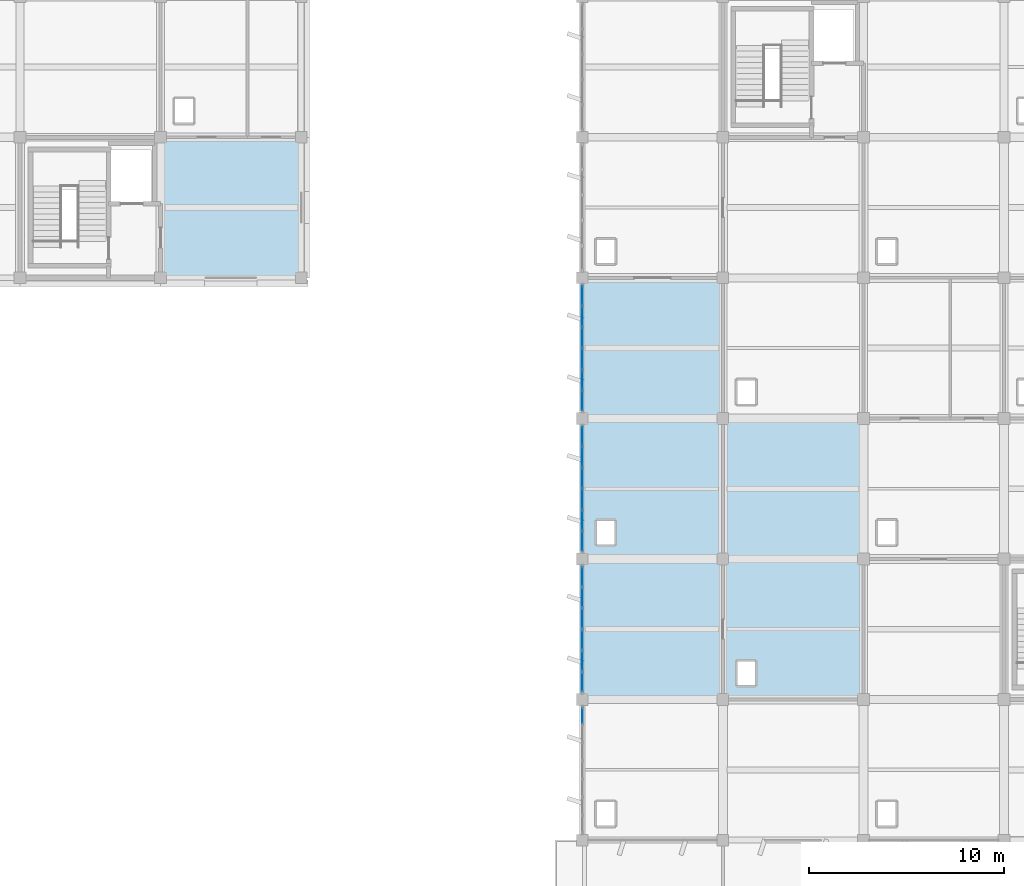
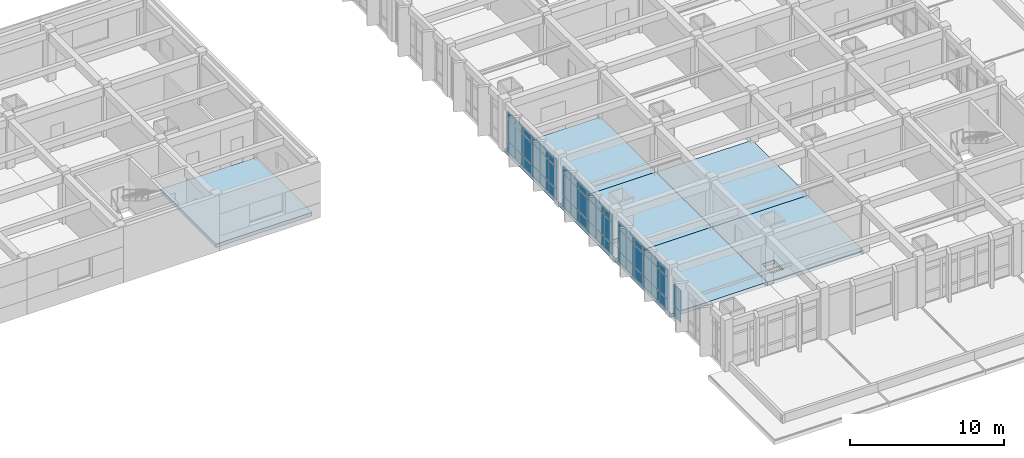
# One storey, part 39 of 62: 56 plates, 6 slabs, 4 elements without a shape of their own.
"""IFC4 building model written with IfcOpenShell, lengths in metres."""

import ifcopenshell
import ifcopenshell.guid

model = None  # the IFC model being written
_history = None  # IfcOwnerHistory: only IFC2X3 demands one
_inside = {}  # id of a spatial element -> (the spatial element, [elements in it])
_under = {}  # id of a project, library or spatial element -> (it, [spatial elements below it])
_declared = {}  # id of a project -> (the project, [libraries it declares])
_typed = {}  # id of a type object -> (the type object, [elements of that type])
_made_of = {}  # id of a material, layer set ... -> (it, [elements and type objects made of it])


def new_model(schema):
    """Start an empty IFC model of exactly this schema.

    Asked for "IFC4X3", IfcOpenShell would pick the latest addendum, in which some entities
    have other attributes; the version numbers below select the first issue.
    IFC2X3 requires an IfcOwnerHistory on every rooted entity: one is made here for all.
    """
    global model, _history
    if schema == "IFC4X3":
        model = ifcopenshell.file(schema_version=(4, 3, 0, 0))
    else:
        model = ifcopenshell.file(schema=schema)
    _inside.clear()
    _under.clear()
    _declared.clear()
    _typed.clear()
    _made_of.clear()
    _history = None
    if model.schema == "IFC2X3":
        org = make("IfcOrganization", Name="unknown")
        user = make(
            "IfcPersonAndOrganization",
            ThePerson=make("IfcPerson", FamilyName="unknown"),
            TheOrganization=org,
        )
        app = make(
            "IfcApplication",
            ApplicationDeveloper=org,
            Version="unknown",
            ApplicationFullName="unknown",
            ApplicationIdentifier="unknown",
        )
        _history = make(
            "IfcOwnerHistory",
            OwningUser=user,
            OwningApplication=app,
            ChangeAction="ADDED",
            CreationDate=0,
        )
    return model


def make(cls, **values):
    """One entity of the class cls with the attributes given. An attribute that is None is left unset."""
    return model.create_entity(
        cls, **{name: value for name, value in values.items() if value is not None}
    )


def rooted(cls, **values):
    """An entity with a GlobalId (a new one), such as an element, a storey or a relation."""
    return make(cls, GlobalId=ifcopenshell.guid.new(), OwnerHistory=_history, **values)


def si_unit(unit_type, name, prefix=None):
    """IfcSIUnit, for example si_unit("LENGTHUNIT", "METRE", prefix="MILLI")."""
    return make("IfcSIUnit", UnitType=unit_type, Prefix=prefix, Name=name)


def assignment(units):
    """IfcUnitAssignment: the units of a project."""
    return None if units is None else make("IfcUnitAssignment", Units=units)


def point(xyz):
    """IfcCartesianPoint."""
    return None if xyz is None else make("IfcCartesianPoint", Coordinates=xyz)


def direction(xyz):
    """IfcDirection."""
    return None if xyz is None else make("IfcDirection", DirectionRatios=xyz)


def frame(location, z_axis=None, x_axis=None):
    """IfcAxis2Placement3D, a coordinate frame: its origin and axes. An axis left out is left unset."""
    return make(
        "IfcAxis2Placement3D",
        Location=point(location),
        Axis=direction(z_axis),
        RefDirection=direction(x_axis),
    )


def frame_2d(location, x_axis=None):
    """IfcAxis2Placement2D, a coordinate frame in the plane: its origin and x axis."""
    return make(
        "IfcAxis2Placement2D", Location=point(location), RefDirection=direction(x_axis)
    )


def origin():
    """The frame at (0, 0, 0) with its axes left unset."""
    return frame((0.0, 0.0, 0.0))


def origin_2d():
    """The frame at (0, 0) in the plane with its x axis left unset."""
    return frame_2d((0.0, 0.0))


def place(relative_to, where):
    """IfcLocalPlacement: puts the frame where relative to a parent placement (None: the world)."""
    return make(
        "IfcLocalPlacement", PlacementRelTo=relative_to, RelativePlacement=where
    )


def context(
    kind, dimensions, precision=None, world=None, true_north=None, identifier=None
):
    """IfcGeometricRepresentationContext, for example the 3D "Model" context."""
    return make(
        "IfcGeometricRepresentationContext",
        ContextIdentifier=identifier,
        ContextType=kind,
        CoordinateSpaceDimension=dimensions,
        Precision=precision,
        WorldCoordinateSystem=world,
        TrueNorth=true_north,
    )


def subcontext(parent, identifier, kind, view, scale=None):
    """IfcGeometricRepresentationSubContext, for example "Body" below "Model"."""
    return make(
        "IfcGeometricRepresentationSubContext",
        ContextIdentifier=identifier,
        ContextType=kind,
        ParentContext=parent,
        TargetScale=scale,
        TargetView=view,
    )


def project(units=None, contexts=None):
    """IfcProject with its units and contexts."""
    return rooted(
        "IfcProject",
        Name="project",
        RepresentationContexts=contexts,
        UnitsInContext=assignment(units),
    )


def spatial(cls, under=None, at=None, **own):
    """A site, building, storey or space (cls), placed at a placement, below another one or the project."""
    s = rooted(cls, ObjectPlacement=at, **own)
    if under is not None:
        _under.setdefault(under.id(), (under, []))[1].append(s)
    return s


def polyline(points):
    """IfcPolyline through the points."""
    return make("IfcPolyline", Points=[point(p) for p in points])


def profile(cls, at=None, kind="AREA", **sizes):
    """A parametric profile (cls). Its sizes go by their IFC names, for example OverallWidth=200.0."""
    return make(cls, ProfileType=kind, Position=at, **sizes)


def rectangle(**sizes):
    """IfcRectangleProfileDef."""
    return profile("IfcRectangleProfileDef", **sizes)


def outline(outer, holes=None, kind="AREA"):
    """IfcArbitraryClosedProfileDef: a profile drawn as a closed curve; with holes, ...WithVoids."""
    if holes is None:
        return make("IfcArbitraryClosedProfileDef", ProfileType=kind, OuterCurve=outer)
    return make(
        "IfcArbitraryProfileDefWithVoids",
        ProfileType=kind,
        OuterCurve=outer,
        InnerCurves=holes,
    )


def extrude(swept, where, along, depth):
    """IfcExtrudedAreaSolid: the profile swept, set in the frame where, extruded along a direction by depth."""
    return make(
        "IfcExtrudedAreaSolid",
        SweptArea=swept,
        Position=where,
        ExtrudedDirection=direction(along),
        Depth=depth,
    )


def shape(context_of_items, identifier, shape_type, items):
    """IfcShapeRepresentation: the items that make up one representation, for example the "Body"."""
    return make(
        "IfcShapeRepresentation",
        ContextOfItems=context_of_items,
        RepresentationIdentifier=identifier,
        RepresentationType=shape_type,
        Items=items,
    )


def material(Name=None, Category=None):
    """IfcMaterial."""
    return make("IfcMaterial", Name=Name, Category=Category)


def layer(
    of_material, thickness, ventilated=None, Name=None, Category=None, Priority=None
):
    """IfcMaterialLayer: one layer of a wall or slab, of a material (None: an air gap)."""
    return make(
        "IfcMaterialLayer",
        Material=of_material,
        LayerThickness=thickness,
        IsVentilated=ventilated,
        Name=Name,
        Category=Category,
        Priority=Priority,
    )


def layer_set(layers, Name=None):
    """IfcMaterialLayerSet."""
    return make("IfcMaterialLayerSet", MaterialLayers=layers, LayerSetName=Name)


def made_of(thing, what):
    """Note that an element or type object is made of a material, layer set ...; save() writes the relation."""
    if what is not None:
        _made_of.setdefault(what.id(), (what, []))[1].append(thing)
    return thing


def type_object(cls, material=None, **own):
    """A type object (cls), such as IfcWallType, which elements share."""
    return made_of(rooted(cls, **own), material)


def element(
    cls,
    number,
    at=None,
    inside=None,
    cuts=None,
    type_object=None,
    material=None,
    context=None,
    identifier="Body",
    shape_type=None,
    held_by="IfcProductDefinitionShape",
    body=None,
    shapes=None,
    **own,
):
    """One element of the class cls, such as IfcWall. Its Tag is "e" and its number.

    at: its placement. inside: the storey or other place that contains it. cuts: it is an
    opening in that element (IfcRelVoidsElement). A single representation is given by context,
    identifier, shape_type and body (its items); several are given by shapes. held_by: the class
    of the entity that holds the representations. save() writes the other relations.
    """
    e = rooted(cls, Tag="e%d" % number, ObjectPlacement=at, **own)
    if body is not None:
        shapes = [shape(context, identifier, shape_type, body)]
    if shapes is not None:
        e.Representation = make(held_by, Representations=shapes)
    if inside is not None:
        _inside.setdefault(inside.id(), (inside, []))[1].append(e)
    if cuts is not None:
        rooted(
            "IfcRelVoidsElement", RelatingBuildingElement=cuts, RelatedOpeningElement=e
        )
    if type_object is not None:
        _typed.setdefault(type_object.id(), (type_object, []))[1].append(e)
    return made_of(e, material)


def aggregate(whole, parts):
    """IfcRelAggregates: a whole, such as a stair, and the parts it consists of."""
    return rooted("IfcRelAggregates", RelatingObject=whole, RelatedObjects=parts)


def save(model, path):
    """Write the relations noted so far, then the file.

    IfcRelAggregates (storeys below a building ...), IfcRelContainedInSpatialStructure (elements
    in a storey), IfcRelDefinesByType, IfcRelAssociatesMaterial and IfcRelDeclares: one each for
    every whole, place, type object, material and project.
    """
    for whole, parts in _under.values():
        aggregate(whole, parts)
    for where, things in _inside.values():
        rooted(
            "IfcRelContainedInSpatialStructure",
            RelatedElements=things,
            RelatingStructure=where,
        )
    for kind, things in _typed.values():
        rooted("IfcRelDefinesByType", RelatedObjects=things, RelatingType=kind)
    for what, things in _made_of.values():
        rooted("IfcRelAssociatesMaterial", RelatedObjects=things, RelatingMaterial=what)
    for by, libraries in _declared.values():
        rooted("IfcRelDeclares", RelatingContext=by, RelatedDefinitions=libraries)
    model.write(path)


model = new_model("IFC4")

# Units and contexts
model_context = context("Model", 3, precision=1e-05, world=origin(), true_north=direction((0.0, 1.0)))
body_context = subcontext(model_context, "Body", "Model", "MODEL_VIEW")
ifc_project = project(units=[si_unit("LENGTHUNIT", "METRE"), si_unit("AREAUNIT", "SQUARE_METRE"), si_unit("VOLUMEUNIT", "CUBIC_METRE"), si_unit("PLANEANGLEUNIT", "RADIAN"), si_unit("MASSUNIT", "GRAM", prefix="KILO")], contexts=[model_context])

# Site, building, storey
site_placement = place(None, origin())
site = spatial("IfcSite", under=ifc_project, at=site_placement, CompositionType="ELEMENT")
building_placement = place(site_placement, origin())
building = spatial("IfcBuilding", under=site, at=building_placement, Name="Kavelor Marine Aquarium", CompositionType="ELEMENT")
storey_placement = place(building_placement, frame((0.0, 0.0, 13.5)))
storey = spatial("IfcBuildingStorey", under=building, at=storey_placement, Name="L03", CompositionType="ELEMENT", Elevation=13.5)

# Curtain wall, plates
ifc_material_1 = material(Name="Thermally Broken Aluminium and Low-E Glass", Category="aluminium")
ifc_layer_1 = layer(ifc_material_1, 0.156005859375)
ifc_layer_set_1 = layer_set([ifc_layer_1], Name="CW-SYS2")
curtain_wall_type_1 = type_object("IfcCurtainWallType", Name="CW-SYS2", PredefinedType="USERDEFINED", material=ifc_layer_set_1)
curtain_wall_1_placement = place(storey_placement, origin())
curtain_wall_1 = element("IfcCurtainWall", 1, at=curtain_wall_1_placement, inside=storey, type_object=curtain_wall_type_1, Name="cw:y:L03:16_08", ObjectType="Curtain Wall", PredefinedType="USERDEFINED")
ifc_material_2 = material(Name="Solar-Control Double Low-E Glazing", Category="glass")
ifc_layer_2 = layer(ifc_material_2, 0.028076171875)
ifc_layer_set_2 = layer_set([ifc_layer_2], Name="CWP-02")
plate_type_1 = type_object("IfcPlateType", Name="CWP-02", PredefinedType="CURTAIN_PANEL", material=ifc_layer_set_2)
plate_1_placement = place(storey_placement, frame((118.39990234375, 66.773681640625, 0.06494140625), z_axis=(0.0, 0.0, 1.0), x_axis=(0.0, -1.0, 0.0)))
plate_1 = element("IfcPlate", 2, at=plate_1_placement, type_object=plate_type_1, Name="CW02 panel 1.1", PredefinedType="CURTAIN_PANEL", context=body_context, shape_type="SweptSolid", body=[
    extrude(rectangle(XDim=0.83251953125, YDim=0.028076171875, at=origin_2d()), origin(), (0.0, 0.0, 1.0), 0.802490234375),
])
plate_2_placement = place(storey_placement, frame((118.39990234375, 66.773681640625, 0.932373046875), z_axis=(0.0, 0.0, 1.0), x_axis=(0.0, -1.0, 0.0)))
plate_2 = element("IfcPlate", 3, at=plate_2_placement, type_object=plate_type_1, Name="CW02 panel 1.2", PredefinedType="CURTAIN_PANEL", context=body_context, shape_type="SweptSolid", body=[
    extrude(rectangle(XDim=0.83251953125, YDim=0.028076171875, at=origin_2d()), origin(), (0.0, 0.0, 1.0), 1.68505859375),
])
aggregate(curtain_wall_1, [plate_1, plate_2])

ifc_material_3 = material(Name="Thermally Broken Aluminium and Low-E Glass", Category="aluminium")
ifc_layer_3 = layer(ifc_material_3, 0.1640625)
ifc_layer_set_3 = layer_set([ifc_layer_3], Name="CW-SYS3")
curtain_wall_type_2 = type_object("IfcCurtainWallType", Name="CW-SYS3", PredefinedType="USERDEFINED", material=ifc_layer_set_3)
curtain_wall_2_placement = place(storey_placement, origin())
curtain_wall_2 = element("IfcCurtainWall", 4, at=curtain_wall_2_placement, inside=storey, type_object=curtain_wall_type_2, Name="cw:y:L03:16_09", ObjectType="Curtain Wall", PredefinedType="USERDEFINED")
ifc_material_4 = material(Name="Solar-Control Double Low-E Glazing", Category="glass")
ifc_layer_4 = layer(ifc_material_4, 0.030029296875)
ifc_layer_set_4 = layer_set([ifc_layer_4], Name="CWP-03")
plate_type_2 = type_object("IfcPlateType", Name="CWP-03", PredefinedType="CURTAIN_PANEL", material=ifc_layer_set_4)
plate_3_placement = place(storey_placement, frame((118.39990234375, 73.8974609375, 0.06494140625), z_axis=(0.0, 0.0, 1.0), x_axis=(0.0, -1.0, 0.0)))
plate_3 = element("IfcPlate", 5, at=plate_3_placement, type_object=plate_type_2, Name="CW03 panel 1.1", PredefinedType="CURTAIN_PANEL", context=body_context, shape_type="SweptSolid", body=[
    extrude(rectangle(XDim=0.9951171875, YDim=0.030029296875, at=origin_2d()), origin(), (0.0, 0.0, 1.0), 0.802490234375),
])
plate_4_placement = place(storey_placement, frame((118.39990234375, 73.8974609375, 0.932373046875), z_axis=(0.0, 0.0, 1.0), x_axis=(0.0, -1.0, 0.0)))
plate_4 = element("IfcPlate", 6, at=plate_4_placement, type_object=plate_type_2, Name="CW03 panel 1.2", PredefinedType="CURTAIN_PANEL", context=body_context, shape_type="SweptSolid", body=[
    extrude(rectangle(XDim=0.9951171875, YDim=0.030029296875, at=origin_2d()), origin(), (0.0, 0.0, 1.0), 1.68505859375),
])
plate_5_placement = place(storey_placement, frame((118.39990234375, 73.8974609375, 2.6826171875), z_axis=(0.0, 0.0, 1.0), x_axis=(0.0, -1.0, 0.0)))
plate_5 = element("IfcPlate", 7, at=plate_5_placement, type_object=plate_type_2, Name="CW03 panel 1.3", PredefinedType="CURTAIN_PANEL", context=body_context, shape_type="SweptSolid", body=[
    extrude(rectangle(XDim=0.9951171875, YDim=0.030029296875, at=origin_2d()), origin(), (0.0, 0.0, 1.0), 0.552490234375),
])
plate_6_placement = place(storey_placement, frame((118.39990234375, 72.827392578125, 0.06494140625), z_axis=(0.0, 0.0, 1.0), x_axis=(0.0, -1.0, 0.0)))
plate_6 = element("IfcPlate", 8, at=plate_6_placement, type_object=plate_type_2, Name="CW03 panel 2.1", PredefinedType="CURTAIN_PANEL", context=body_context, shape_type="SweptSolid", body=[
    extrude(rectangle(XDim=1.02490234375, YDim=0.030029296875, at=origin_2d()), origin(), (0.0, 0.0, 1.0), 0.802490234375),
])
plate_7_placement = place(storey_placement, frame((118.39990234375, 72.827392578125, 0.932373046875), z_axis=(0.0, 0.0, 1.0), x_axis=(0.0, -1.0, 0.0)))
plate_7 = element("IfcPlate", 9, at=plate_7_placement, type_object=plate_type_2, Name="CW03 panel 2.2", PredefinedType="CURTAIN_PANEL", context=body_context, shape_type="SweptSolid", body=[
    extrude(rectangle(XDim=1.02490234375, YDim=0.030029296875, at=origin_2d()), origin(), (0.0, 0.0, 1.0), 1.68505859375),
])
plate_8_placement = place(storey_placement, frame((118.39990234375, 72.827392578125, 2.6826171875), z_axis=(0.0, 0.0, 1.0), x_axis=(0.0, -1.0, 0.0)))
plate_8 = element("IfcPlate", 10, at=plate_8_placement, type_object=plate_type_2, Name="CW03 panel 2.3", PredefinedType="CURTAIN_PANEL", context=body_context, shape_type="SweptSolid", body=[
    extrude(rectangle(XDim=1.02490234375, YDim=0.030029296875, at=origin_2d()), origin(), (0.0, 0.0, 1.0), 0.552490234375),
])
plate_9_placement = place(storey_placement, frame((118.39990234375, 71.742431640625, 0.06494140625), z_axis=(0.0, 0.0, 1.0), x_axis=(0.0, -1.0, 0.0)))
plate_9 = element("IfcPlate", 11, at=plate_9_placement, type_object=plate_type_2, Name="CW03 panel 3.1", PredefinedType="CURTAIN_PANEL", context=body_context, shape_type="SweptSolid", body=[
    extrude(rectangle(XDim=1.02490234375, YDim=0.030029296875, at=origin_2d()), origin(), (0.0, 0.0, 1.0), 0.802490234375),
])
plate_10_placement = place(storey_placement, frame((118.39990234375, 71.742431640625, 0.932373046875), z_axis=(0.0, 0.0, 1.0), x_axis=(0.0, -1.0, 0.0)))
plate_10 = element("IfcPlate", 12, at=plate_10_placement, type_object=plate_type_2, Name="CW03 panel 3.2", PredefinedType="CURTAIN_PANEL", context=body_context, shape_type="SweptSolid", body=[
    extrude(rectangle(XDim=1.02490234375, YDim=0.030029296875, at=origin_2d()), origin(), (0.0, 0.0, 1.0), 1.68505859375),
])
plate_11_placement = place(storey_placement, frame((118.39990234375, 71.742431640625, 2.6826171875), z_axis=(0.0, 0.0, 1.0), x_axis=(0.0, -1.0, 0.0)))
plate_11 = element("IfcPlate", 13, at=plate_11_placement, type_object=plate_type_2, Name="CW03 panel 3.3", PredefinedType="CURTAIN_PANEL", context=body_context, shape_type="SweptSolid", body=[
    extrude(rectangle(XDim=1.02490234375, YDim=0.030029296875, at=origin_2d()), origin(), (0.0, 0.0, 1.0), 0.552490234375),
])
plate_12_placement = place(storey_placement, frame((118.39990234375, 70.657470703125, 0.06494140625), z_axis=(0.0, 0.0, 1.0), x_axis=(0.0, -1.0, 0.0)))
plate_12 = element("IfcPlate", 14, at=plate_12_placement, type_object=plate_type_2, Name="CW03 panel 4.1", PredefinedType="CURTAIN_PANEL", context=body_context, shape_type="SweptSolid", body=[
    extrude(rectangle(XDim=1.02490234375, YDim=0.030029296875, at=origin_2d()), origin(), (0.0, 0.0, 1.0), 0.802490234375),
])
plate_13_placement = place(storey_placement, frame((118.39990234375, 70.657470703125, 0.932373046875), z_axis=(0.0, 0.0, 1.0), x_axis=(0.0, -1.0, 0.0)))
plate_13 = element("IfcPlate", 15, at=plate_13_placement, type_object=plate_type_2, Name="CW03 panel 4.2", PredefinedType="CURTAIN_PANEL", context=body_context, shape_type="SweptSolid", body=[
    extrude(rectangle(XDim=1.02490234375, YDim=0.030029296875, at=origin_2d()), origin(), (0.0, 0.0, 1.0), 1.68505859375),
])
plate_14_placement = place(storey_placement, frame((118.39990234375, 70.657470703125, 2.6826171875), z_axis=(0.0, 0.0, 1.0), x_axis=(0.0, -1.0, 0.0)))
plate_14 = element("IfcPlate", 16, at=plate_14_placement, type_object=plate_type_2, Name="CW03 panel 4.3", PredefinedType="CURTAIN_PANEL", context=body_context, shape_type="SweptSolid", body=[
    extrude(rectangle(XDim=1.02490234375, YDim=0.030029296875, at=origin_2d()), origin(), (0.0, 0.0, 1.0), 0.552490234375),
])
plate_15_placement = place(storey_placement, frame((118.39990234375, 69.572509765625, 0.06494140625), z_axis=(0.0, 0.0, 1.0), x_axis=(0.0, -1.0, 0.0)))
plate_15 = element("IfcPlate", 17, at=plate_15_placement, type_object=plate_type_2, Name="CW03 panel 5.1", PredefinedType="CURTAIN_PANEL", context=body_context, shape_type="SweptSolid", body=[
    extrude(rectangle(XDim=1.02490234375, YDim=0.030029296875, at=origin_2d()), origin(), (0.0, 0.0, 1.0), 0.802490234375),
])
plate_16_placement = place(storey_placement, frame((118.39990234375, 69.572509765625, 0.932373046875), z_axis=(0.0, 0.0, 1.0), x_axis=(0.0, -1.0, 0.0)))
plate_16 = element("IfcPlate", 18, at=plate_16_placement, type_object=plate_type_2, Name="CW03 panel 5.2", PredefinedType="CURTAIN_PANEL", context=body_context, shape_type="SweptSolid", body=[
    extrude(rectangle(XDim=1.02490234375, YDim=0.030029296875, at=origin_2d()), origin(), (0.0, 0.0, 1.0), 1.68505859375),
])
plate_17_placement = place(storey_placement, frame((118.39990234375, 69.572509765625, 2.6826171875), z_axis=(0.0, 0.0, 1.0), x_axis=(0.0, -1.0, 0.0)))
plate_17 = element("IfcPlate", 19, at=plate_17_placement, type_object=plate_type_2, Name="CW03 panel 5.3", PredefinedType="CURTAIN_PANEL", context=body_context, shape_type="SweptSolid", body=[
    extrude(rectangle(XDim=1.02490234375, YDim=0.030029296875, at=origin_2d()), origin(), (0.0, 0.0, 1.0), 0.552490234375),
])
plate_18_placement = place(storey_placement, frame((118.39990234375, 68.50244140625, 0.06494140625), z_axis=(0.0, 0.0, 1.0), x_axis=(0.0, -1.0, 0.0)))
plate_18 = element("IfcPlate", 20, at=plate_18_placement, type_object=plate_type_2, Name="CW03 panel 6.1", PredefinedType="CURTAIN_PANEL", context=body_context, shape_type="SweptSolid", body=[
    extrude(rectangle(XDim=0.9951171875, YDim=0.030029296875, at=origin_2d()), origin(), (0.0, 0.0, 1.0), 0.802490234375),
])
plate_19_placement = place(storey_placement, frame((118.39990234375, 68.50244140625, 0.932373046875), z_axis=(0.0, 0.0, 1.0), x_axis=(0.0, -1.0, 0.0)))
plate_19 = element("IfcPlate", 21, at=plate_19_placement, type_object=plate_type_2, Name="CW03 panel 6.2", PredefinedType="CURTAIN_PANEL", context=body_context, shape_type="SweptSolid", body=[
    extrude(rectangle(XDim=0.9951171875, YDim=0.030029296875, at=origin_2d()), origin(), (0.0, 0.0, 1.0), 1.68505859375),
])
plate_20_placement = place(storey_placement, frame((118.39990234375, 68.50244140625, 2.6826171875), z_axis=(0.0, 0.0, 1.0), x_axis=(0.0, -1.0, 0.0)))
plate_20 = element("IfcPlate", 22, at=plate_20_placement, type_object=plate_type_2, Name="CW03 panel 6.3", PredefinedType="CURTAIN_PANEL", context=body_context, shape_type="SweptSolid", body=[
    extrude(rectangle(XDim=0.9951171875, YDim=0.030029296875, at=origin_2d()), origin(), (0.0, 0.0, 1.0), 0.552490234375),
])
aggregate(curtain_wall_2, [plate_3, plate_4, plate_5, plate_6, plate_7, plate_8, plate_9, plate_10, plate_11, plate_12, plate_13, plate_14, plate_15, plate_16, plate_17, plate_18, plate_19, plate_20])

ifc_material_5 = material(Name="Thermally Broken Aluminium and Low-E Glass", Category="aluminium")
ifc_layer_5 = layer(ifc_material_5, 0.172119140625)
ifc_layer_set_5 = layer_set([ifc_layer_5], Name="CW-SYS4")
curtain_wall_type_3 = type_object("IfcCurtainWallType", Name="CW-SYS4", PredefinedType="USERDEFINED", material=ifc_layer_set_5)
curtain_wall_3_placement = place(storey_placement, origin())
curtain_wall_3 = element("IfcCurtainWall", 23, at=curtain_wall_3_placement, inside=storey, type_object=curtain_wall_type_3, Name="cw:y:L03:16_10", ObjectType="Curtain Wall", PredefinedType="USERDEFINED")
ifc_material_6 = material(Name="Solar-Control Double Low-E Glazing", Category="glass")
ifc_layer_6 = layer(ifc_material_6, 0.031982421875)
ifc_layer_set_6 = layer_set([ifc_layer_6], Name="CWP-04")
plate_type_3 = type_object("IfcPlateType", Name="CWP-04", PredefinedType="CURTAIN_PANEL", material=ifc_layer_set_6)
plate_21_placement = place(storey_placement, frame((118.39990234375, 81.09375, 0.06005859375), z_axis=(0.0, 0.0, 1.0), x_axis=(0.0, -1.0, 0.0)))
plate_21 = element("IfcPlate", 24, at=plate_21_placement, type_object=plate_type_3, Name="CW04 panel 1.1", PredefinedType="CURTAIN_PANEL", context=body_context, shape_type="SweptSolid", body=[
    extrude(rectangle(XDim=0.972412109375, YDim=0.031982421875, at=origin_2d()), origin(), (0.0, 0.0, 1.0), 0.81005859375),
])
plate_22_placement = place(storey_placement, frame((118.39990234375, 81.09375, 0.929931640625), z_axis=(0.0, 0.0, 1.0), x_axis=(0.0, -1.0, 0.0)))
plate_22 = element("IfcPlate", 25, at=plate_22_placement, type_object=plate_type_3, Name="CW04 panel 1.2", PredefinedType="CURTAIN_PANEL", context=body_context, shape_type="SweptSolid", body=[
    extrude(rectangle(XDim=0.972412109375, YDim=0.031982421875, at=origin_2d()), origin(), (0.0, 0.0, 1.0), 1.68994140625),
])
plate_23_placement = place(storey_placement, frame((118.39990234375, 81.09375, 2.679931640625), z_axis=(0.0, 0.0, 1.0), x_axis=(0.0, -1.0, 0.0)))
plate_23 = element("IfcPlate", 26, at=plate_23_placement, type_object=plate_type_3, Name="CW04 panel 1.3", PredefinedType="CURTAIN_PANEL", context=body_context, shape_type="SweptSolid", body=[
    extrude(rectangle(XDim=0.972412109375, YDim=0.031982421875, at=origin_2d()), origin(), (0.0, 0.0, 1.0), 0.56005859375),
])
plate_24_placement = place(storey_placement, frame((118.39990234375, 80.027587890625, 0.06005859375), z_axis=(0.0, 0.0, 1.0), x_axis=(0.0, -1.0, 0.0)))
plate_24 = element("IfcPlate", 27, at=plate_24_placement, type_object=plate_type_3, Name="CW04 panel 2.1", PredefinedType="CURTAIN_PANEL", context=body_context, shape_type="SweptSolid", body=[
    extrude(rectangle(XDim=1.010009765625, YDim=0.031982421875, at=origin_2d()), origin(), (0.0, 0.0, 1.0), 0.81005859375),
])
plate_25_placement = place(storey_placement, frame((118.39990234375, 80.027587890625, 0.929931640625), z_axis=(0.0, 0.0, 1.0), x_axis=(0.0, -1.0, 0.0)))
plate_25 = element("IfcPlate", 28, at=plate_25_placement, type_object=plate_type_3, Name="CW04 panel 2.2", PredefinedType="CURTAIN_PANEL", context=body_context, shape_type="SweptSolid", body=[
    extrude(rectangle(XDim=1.010009765625, YDim=0.031982421875, at=origin_2d()), origin(), (0.0, 0.0, 1.0), 1.68994140625),
])
plate_26_placement = place(storey_placement, frame((118.39990234375, 80.027587890625, 2.679931640625), z_axis=(0.0, 0.0, 1.0), x_axis=(0.0, -1.0, 0.0)))
plate_26 = element("IfcPlate", 29, at=plate_26_placement, type_object=plate_type_3, Name="CW04 panel 2.3", PredefinedType="CURTAIN_PANEL", context=body_context, shape_type="SweptSolid", body=[
    extrude(rectangle(XDim=1.010009765625, YDim=0.031982421875, at=origin_2d()), origin(), (0.0, 0.0, 1.0), 0.56005859375),
])
plate_27_placement = place(storey_placement, frame((118.39990234375, 78.9423828125, 0.06005859375), z_axis=(0.0, 0.0, 1.0), x_axis=(0.0, -1.0, 0.0)))
plate_27 = element("IfcPlate", 30, at=plate_27_placement, type_object=plate_type_3, Name="CW04 panel 3.1", PredefinedType="CURTAIN_PANEL", context=body_context, shape_type="SweptSolid", body=[
    extrude(rectangle(XDim=1.010009765625, YDim=0.031982421875, at=origin_2d()), origin(), (0.0, 0.0, 1.0), 0.81005859375),
])
plate_28_placement = place(storey_placement, frame((118.39990234375, 78.9423828125, 0.929931640625), z_axis=(0.0, 0.0, 1.0), x_axis=(0.0, -1.0, 0.0)))
plate_28 = element("IfcPlate", 31, at=plate_28_placement, type_object=plate_type_3, Name="CW04 panel 3.2", PredefinedType="CURTAIN_PANEL", context=body_context, shape_type="SweptSolid", body=[
    extrude(rectangle(XDim=1.010009765625, YDim=0.031982421875, at=origin_2d()), origin(), (0.0, 0.0, 1.0), 1.68994140625),
])
plate_29_placement = place(storey_placement, frame((118.39990234375, 78.9423828125, 2.679931640625), z_axis=(0.0, 0.0, 1.0), x_axis=(0.0, -1.0, 0.0)))
plate_29 = element("IfcPlate", 32, at=plate_29_placement, type_object=plate_type_3, Name="CW04 panel 3.3", PredefinedType="CURTAIN_PANEL", context=body_context, shape_type="SweptSolid", body=[
    extrude(rectangle(XDim=1.010009765625, YDim=0.031982421875, at=origin_2d()), origin(), (0.0, 0.0, 1.0), 0.56005859375),
])
plate_30_placement = place(storey_placement, frame((118.39990234375, 77.857421875, 0.06005859375), z_axis=(0.0, 0.0, 1.0), x_axis=(0.0, -1.0, 0.0)))
plate_30 = element("IfcPlate", 33, at=plate_30_placement, type_object=plate_type_3, Name="CW04 panel 4.1", PredefinedType="CURTAIN_PANEL", context=body_context, shape_type="SweptSolid", body=[
    extrude(rectangle(XDim=1.010009765625, YDim=0.031982421875, at=origin_2d()), origin(), (0.0, 0.0, 1.0), 0.81005859375),
])
plate_31_placement = place(storey_placement, frame((118.39990234375, 77.857421875, 0.929931640625), z_axis=(0.0, 0.0, 1.0), x_axis=(0.0, -1.0, 0.0)))
plate_31 = element("IfcPlate", 34, at=plate_31_placement, type_object=plate_type_3, Name="CW04 panel 4.2", PredefinedType="CURTAIN_PANEL", context=body_context, shape_type="SweptSolid", body=[
    extrude(rectangle(XDim=1.010009765625, YDim=0.031982421875, at=origin_2d()), origin(), (0.0, 0.0, 1.0), 1.68994140625),
])
plate_32_placement = place(storey_placement, frame((118.39990234375, 77.857421875, 2.679931640625), z_axis=(0.0, 0.0, 1.0), x_axis=(0.0, -1.0, 0.0)))
plate_32 = element("IfcPlate", 35, at=plate_32_placement, type_object=plate_type_3, Name="CW04 panel 4.3", PredefinedType="CURTAIN_PANEL", context=body_context, shape_type="SweptSolid", body=[
    extrude(rectangle(XDim=1.010009765625, YDim=0.031982421875, at=origin_2d()), origin(), (0.0, 0.0, 1.0), 0.56005859375),
])
plate_33_placement = place(storey_placement, frame((118.39990234375, 76.7724609375, 0.06005859375), z_axis=(0.0, 0.0, 1.0), x_axis=(0.0, -1.0, 0.0)))
plate_33 = element("IfcPlate", 36, at=plate_33_placement, type_object=plate_type_3, Name="CW04 panel 5.1", PredefinedType="CURTAIN_PANEL", context=body_context, shape_type="SweptSolid", body=[
    extrude(rectangle(XDim=1.010009765625, YDim=0.031982421875, at=origin_2d()), origin(), (0.0, 0.0, 1.0), 0.81005859375),
])
plate_34_placement = place(storey_placement, frame((118.39990234375, 76.7724609375, 0.929931640625), z_axis=(0.0, 0.0, 1.0), x_axis=(0.0, -1.0, 0.0)))
plate_34 = element("IfcPlate", 37, at=plate_34_placement, type_object=plate_type_3, Name="CW04 panel 5.2", PredefinedType="CURTAIN_PANEL", context=body_context, shape_type="SweptSolid", body=[
    extrude(rectangle(XDim=1.010009765625, YDim=0.031982421875, at=origin_2d()), origin(), (0.0, 0.0, 1.0), 1.68994140625),
])
plate_35_placement = place(storey_placement, frame((118.39990234375, 76.7724609375, 2.679931640625), z_axis=(0.0, 0.0, 1.0), x_axis=(0.0, -1.0, 0.0)))
plate_35 = element("IfcPlate", 38, at=plate_35_placement, type_object=plate_type_3, Name="CW04 panel 5.3", PredefinedType="CURTAIN_PANEL", context=body_context, shape_type="SweptSolid", body=[
    extrude(rectangle(XDim=1.010009765625, YDim=0.031982421875, at=origin_2d()), origin(), (0.0, 0.0, 1.0), 0.56005859375),
])
plate_36_placement = place(storey_placement, frame((118.39990234375, 75.706298828125, 0.06005859375), z_axis=(0.0, 0.0, 1.0), x_axis=(0.0, -1.0, 0.0)))
plate_36 = element("IfcPlate", 39, at=plate_36_placement, type_object=plate_type_3, Name="CW04 panel 6.1", PredefinedType="CURTAIN_PANEL", context=body_context, shape_type="SweptSolid", body=[
    extrude(rectangle(XDim=0.972412109375, YDim=0.031982421875, at=origin_2d()), origin(), (0.0, 0.0, 1.0), 0.81005859375),
])
plate_37_placement = place(storey_placement, frame((118.39990234375, 75.706298828125, 0.929931640625), z_axis=(0.0, 0.0, 1.0), x_axis=(0.0, -1.0, 0.0)))
plate_37 = element("IfcPlate", 40, at=plate_37_placement, type_object=plate_type_3, Name="CW04 panel 6.2", PredefinedType="CURTAIN_PANEL", context=body_context, shape_type="SweptSolid", body=[
    extrude(rectangle(XDim=0.972412109375, YDim=0.031982421875, at=origin_2d()), origin(), (0.0, 0.0, 1.0), 1.68994140625),
])
plate_38_placement = place(storey_placement, frame((118.39990234375, 75.706298828125, 2.679931640625), z_axis=(0.0, 0.0, 1.0), x_axis=(0.0, -1.0, 0.0)))
plate_38 = element("IfcPlate", 41, at=plate_38_placement, type_object=plate_type_3, Name="CW04 panel 6.3", PredefinedType="CURTAIN_PANEL", context=body_context, shape_type="SweptSolid", body=[
    extrude(rectangle(XDim=0.972412109375, YDim=0.031982421875, at=origin_2d()), origin(), (0.0, 0.0, 1.0), 0.56005859375),
])
aggregate(curtain_wall_3, [plate_21, plate_22, plate_23, plate_24, plate_25, plate_26, plate_27, plate_28, plate_29, plate_30, plate_31, plate_32, plate_33, plate_34, plate_35, plate_36, plate_37, plate_38])

ifc_material_7 = material(Name="Thermally Broken Aluminium and Low-E Glass", Category="aluminium")
ifc_layer_7 = layer(ifc_material_7, 0.179931640625)
ifc_layer_set_7 = layer_set([ifc_layer_7], Name="CW-SYS5")
curtain_wall_type_4 = type_object("IfcCurtainWallType", Name="CW-SYS5", PredefinedType="USERDEFINED", material=ifc_layer_set_7)
curtain_wall_4_placement = place(storey_placement, origin())
curtain_wall_4 = element("IfcCurtainWall", 42, at=curtain_wall_4_placement, inside=storey, type_object=curtain_wall_type_4, Name="cw:y:L03:16_11", ObjectType="Curtain Wall", PredefinedType="USERDEFINED")
ifc_material_8 = material(Name="Solar-Control Double Low-E Glazing", Category="glass")
ifc_layer_8 = layer(ifc_material_8, 0.033935546875)
ifc_layer_set_8 = layer_set([ifc_layer_8], Name="CWP-05")
plate_type_4 = type_object("IfcPlateType", Name="CWP-05", PredefinedType="CURTAIN_PANEL", material=ifc_layer_set_8)
plate_39_placement = place(storey_placement, frame((118.39990234375, 88.296142578125, 0.06005859375), z_axis=(0.0, 0.0, 1.0), x_axis=(0.0, -1.0, 0.0)))
plate_39 = element("IfcPlate", 43, at=plate_39_placement, type_object=plate_type_4, Name="CW05 panel 1.1", PredefinedType="CURTAIN_PANEL", context=body_context, shape_type="SweptSolid", body=[
    extrude(rectangle(XDim=0.987548828125, YDim=0.033935546875, at=origin_2d()), origin(), (0.0, 0.0, 1.0), 0.81005859375),
])
plate_40_placement = place(storey_placement, frame((118.39990234375, 88.296142578125, 0.929931640625), z_axis=(0.0, 0.0, 1.0), x_axis=(0.0, -1.0, 0.0)))
plate_40 = element("IfcPlate", 44, at=plate_40_placement, type_object=plate_type_4, Name="CW05 panel 1.2", PredefinedType="CURTAIN_PANEL", context=body_context, shape_type="SweptSolid", body=[
    extrude(rectangle(XDim=0.987548828125, YDim=0.033935546875, at=origin_2d()), origin(), (0.0, 0.0, 1.0), 1.68994140625),
])
plate_41_placement = place(storey_placement, frame((118.39990234375, 88.296142578125, 2.679931640625), z_axis=(0.0, 0.0, 1.0), x_axis=(0.0, -1.0, 0.0)))
plate_41 = element("IfcPlate", 45, at=plate_41_placement, type_object=plate_type_4, Name="CW05 panel 1.3", PredefinedType="CURTAIN_PANEL", context=body_context, shape_type="SweptSolid", body=[
    extrude(rectangle(XDim=0.987548828125, YDim=0.033935546875, at=origin_2d()), origin(), (0.0, 0.0, 1.0), 0.56005859375),
])
plate_42_placement = place(storey_placement, frame((118.39990234375, 87.2275390625, 0.06005859375), z_axis=(0.0, 0.0, 1.0), x_axis=(0.0, -1.0, 0.0)))
plate_42 = element("IfcPlate", 46, at=plate_42_placement, type_object=plate_type_4, Name="CW05 panel 2.1", PredefinedType="CURTAIN_PANEL", context=body_context, shape_type="SweptSolid", body=[
    extrude(rectangle(XDim=1.02001953125, YDim=0.033935546875, at=origin_2d()), origin(), (0.0, 0.0, 1.0), 0.81005859375),
])
plate_43_placement = place(storey_placement, frame((118.39990234375, 87.2275390625, 0.929931640625), z_axis=(0.0, 0.0, 1.0), x_axis=(0.0, -1.0, 0.0)))
plate_43 = element("IfcPlate", 47, at=plate_43_placement, type_object=plate_type_4, Name="CW05 panel 2.2", PredefinedType="CURTAIN_PANEL", context=body_context, shape_type="SweptSolid", body=[
    extrude(rectangle(XDim=1.02001953125, YDim=0.033935546875, at=origin_2d()), origin(), (0.0, 0.0, 1.0), 1.68994140625),
])
plate_44_placement = place(storey_placement, frame((118.39990234375, 87.2275390625, 2.679931640625), z_axis=(0.0, 0.0, 1.0), x_axis=(0.0, -1.0, 0.0)))
plate_44 = element("IfcPlate", 48, at=plate_44_placement, type_object=plate_type_4, Name="CW05 panel 2.3", PredefinedType="CURTAIN_PANEL", context=body_context, shape_type="SweptSolid", body=[
    extrude(rectangle(XDim=1.02001953125, YDim=0.033935546875, at=origin_2d()), origin(), (0.0, 0.0, 1.0), 0.56005859375),
])
plate_45_placement = place(storey_placement, frame((118.39990234375, 86.142578125, 0.06005859375), z_axis=(0.0, 0.0, 1.0), x_axis=(0.0, -1.0, 0.0)))
plate_45 = element("IfcPlate", 49, at=plate_45_placement, type_object=plate_type_4, Name="CW05 panel 3.1", PredefinedType="CURTAIN_PANEL", context=body_context, shape_type="SweptSolid", body=[
    extrude(rectangle(XDim=1.02001953125, YDim=0.033935546875, at=origin_2d()), origin(), (0.0, 0.0, 1.0), 0.81005859375),
])
plate_46_placement = place(storey_placement, frame((118.39990234375, 86.142578125, 0.929931640625), z_axis=(0.0, 0.0, 1.0), x_axis=(0.0, -1.0, 0.0)))
plate_46 = element("IfcPlate", 50, at=plate_46_placement, type_object=plate_type_4, Name="CW05 panel 3.2", PredefinedType="CURTAIN_PANEL", context=body_context, shape_type="SweptSolid", body=[
    extrude(rectangle(XDim=1.02001953125, YDim=0.033935546875, at=origin_2d()), origin(), (0.0, 0.0, 1.0), 1.68994140625),
])
plate_47_placement = place(storey_placement, frame((118.39990234375, 86.142578125, 2.679931640625), z_axis=(0.0, 0.0, 1.0), x_axis=(0.0, -1.0, 0.0)))
plate_47 = element("IfcPlate", 51, at=plate_47_placement, type_object=plate_type_4, Name="CW05 panel 3.3", PredefinedType="CURTAIN_PANEL", context=body_context, shape_type="SweptSolid", body=[
    extrude(rectangle(XDim=1.02001953125, YDim=0.033935546875, at=origin_2d()), origin(), (0.0, 0.0, 1.0), 0.56005859375),
])
plate_48_placement = place(storey_placement, frame((118.39990234375, 85.0576171875, 0.06005859375), z_axis=(0.0, 0.0, 1.0), x_axis=(0.0, -1.0, 0.0)))
plate_48 = element("IfcPlate", 52, at=plate_48_placement, type_object=plate_type_4, Name="CW05 panel 4.1", PredefinedType="CURTAIN_PANEL", context=body_context, shape_type="SweptSolid", body=[
    extrude(rectangle(XDim=1.02001953125, YDim=0.033935546875, at=origin_2d()), origin(), (0.0, 0.0, 1.0), 0.81005859375),
])
plate_49_placement = place(storey_placement, frame((118.39990234375, 85.0576171875, 0.929931640625), z_axis=(0.0, 0.0, 1.0), x_axis=(0.0, -1.0, 0.0)))
plate_49 = element("IfcPlate", 53, at=plate_49_placement, type_object=plate_type_4, Name="CW05 panel 4.2", PredefinedType="CURTAIN_PANEL", context=body_context, shape_type="SweptSolid", body=[
    extrude(rectangle(XDim=1.02001953125, YDim=0.033935546875, at=origin_2d()), origin(), (0.0, 0.0, 1.0), 1.68994140625),
])
plate_50_placement = place(storey_placement, frame((118.39990234375, 85.0576171875, 2.679931640625), z_axis=(0.0, 0.0, 1.0), x_axis=(0.0, -1.0, 0.0)))
plate_50 = element("IfcPlate", 54, at=plate_50_placement, type_object=plate_type_4, Name="CW05 panel 4.3", PredefinedType="CURTAIN_PANEL", context=body_context, shape_type="SweptSolid", body=[
    extrude(rectangle(XDim=1.02001953125, YDim=0.033935546875, at=origin_2d()), origin(), (0.0, 0.0, 1.0), 0.56005859375),
])
plate_51_placement = place(storey_placement, frame((118.39990234375, 83.972412109375, 0.06005859375), z_axis=(0.0, 0.0, 1.0), x_axis=(0.0, -1.0, 0.0)))
plate_51 = element("IfcPlate", 55, at=plate_51_placement, type_object=plate_type_4, Name="CW05 panel 5.1", PredefinedType="CURTAIN_PANEL", context=body_context, shape_type="SweptSolid", body=[
    extrude(rectangle(XDim=1.02001953125, YDim=0.033935546875, at=origin_2d()), origin(), (0.0, 0.0, 1.0), 0.81005859375),
])
plate_52_placement = place(storey_placement, frame((118.39990234375, 83.972412109375, 0.929931640625), z_axis=(0.0, 0.0, 1.0), x_axis=(0.0, -1.0, 0.0)))
plate_52 = element("IfcPlate", 56, at=plate_52_placement, type_object=plate_type_4, Name="CW05 panel 5.2", PredefinedType="CURTAIN_PANEL", context=body_context, shape_type="SweptSolid", body=[
    extrude(rectangle(XDim=1.02001953125, YDim=0.033935546875, at=origin_2d()), origin(), (0.0, 0.0, 1.0), 1.68994140625),
])
plate_53_placement = place(storey_placement, frame((118.39990234375, 83.972412109375, 2.679931640625), z_axis=(0.0, 0.0, 1.0), x_axis=(0.0, -1.0, 0.0)))
plate_53 = element("IfcPlate", 57, at=plate_53_placement, type_object=plate_type_4, Name="CW05 panel 5.3", PredefinedType="CURTAIN_PANEL", context=body_context, shape_type="SweptSolid", body=[
    extrude(rectangle(XDim=1.02001953125, YDim=0.033935546875, at=origin_2d()), origin(), (0.0, 0.0, 1.0), 0.56005859375),
])
plate_54_placement = place(storey_placement, frame((118.39990234375, 82.90380859375, 0.06005859375), z_axis=(0.0, 0.0, 1.0), x_axis=(0.0, -1.0, 0.0)))
plate_54 = element("IfcPlate", 58, at=plate_54_placement, type_object=plate_type_4, Name="CW05 panel 6.1", PredefinedType="CURTAIN_PANEL", context=body_context, shape_type="SweptSolid", body=[
    extrude(rectangle(XDim=0.987548828125, YDim=0.033935546875, at=origin_2d()), origin(), (0.0, 0.0, 1.0), 0.81005859375),
])
plate_55_placement = place(storey_placement, frame((118.39990234375, 82.90380859375, 0.929931640625), z_axis=(0.0, 0.0, 1.0), x_axis=(0.0, -1.0, 0.0)))
plate_55 = element("IfcPlate", 59, at=plate_55_placement, type_object=plate_type_4, Name="CW05 panel 6.2", PredefinedType="CURTAIN_PANEL", context=body_context, shape_type="SweptSolid", body=[
    extrude(rectangle(XDim=0.987548828125, YDim=0.033935546875, at=origin_2d()), origin(), (0.0, 0.0, 1.0), 1.68994140625),
])
plate_56_placement = place(storey_placement, frame((118.39990234375, 82.90380859375, 2.679931640625), z_axis=(0.0, 0.0, 1.0), x_axis=(0.0, -1.0, 0.0)))
plate_56 = element("IfcPlate", 60, at=plate_56_placement, type_object=plate_type_4, Name="CW05 panel 6.3", PredefinedType="CURTAIN_PANEL", context=body_context, shape_type="SweptSolid", body=[
    extrude(rectangle(XDim=0.987548828125, YDim=0.033935546875, at=origin_2d()), origin(), (0.0, 0.0, 1.0), 0.56005859375),
])
aggregate(curtain_wall_4, [plate_39, plate_40, plate_41, plate_42, plate_43, plate_44, plate_45, plate_46, plate_47, plate_48, plate_49, plate_50, plate_51, plate_52, plate_53, plate_54, plate_55, plate_56])

# Slabs
ifc_material_9 = material(Name="Concrete C40/50", Category="concrete")
ifc_layer_9 = layer(ifc_material_9, 0.300048828125)
ifc_layer_set_9 = layer_set([ifc_layer_9], Name="SL-FL1")
slab_type_1 = type_object("IfcSlabType", Name="SL-FL1", PredefinedType="FLOOR", material=ifc_layer_set_9)
slab_1_placement = place(storey_placement, frame((0.0, 0.0, -0.300048828125)))
element("IfcSlab", 61, at=slab_1_placement, inside=storey, type_object=slab_type_1, Name="slab:L03:16_10", PredefinedType="FLOOR", context=body_context, shape_type="SweptSolid", body=[
    extrude(outline(polyline([(118.39990234375, 74.800048828125), (125.60009765625, 74.800048828125), (125.60009765625, 82.0), (118.39990234375, 82.0), (118.39990234375, 74.800048828125)]), holes=[polyline([(119.14990234375, 75.550048828125), (120.050048828125, 75.550048828125), (120.050048828125, 76.75), (119.14990234375, 76.75), (119.14990234375, 75.550048828125)])]), origin(), (0.0, 0.0, 1.0), 0.300048828125),
])
slab_2_placement = place(storey_placement, frame((0.0, 0.0, -0.300048828125)))
element("IfcSlab", 62, at=slab_2_placement, inside=storey, type_object=slab_type_1, Name="slab:L03:17_09", PredefinedType="FLOOR", context=body_context, shape_type="SweptSolid", body=[
    extrude(outline(polyline([(125.60009765625, 67.60009765625), (132.800048828125, 67.60009765625), (132.800048828125, 74.800048828125), (125.60009765625, 74.800048828125), (125.60009765625, 67.60009765625)]), holes=[polyline([(126.35009765625, 68.35009765625), (127.25, 68.35009765625), (127.25, 69.550048828125), (126.35009765625, 69.550048828125), (126.35009765625, 68.35009765625)])]), origin(), (0.0, 0.0, 1.0), 0.300048828125),
])
ifc_material_10 = material(Name="Concrete C40/50", Category="concrete")
ifc_layer_10 = layer(ifc_material_10, 0.280029296875)
ifc_layer_set_10 = layer_set([ifc_layer_10], Name="SL-FL2")
slab_type_2 = type_object("IfcSlabType", Name="SL-FL2", PredefinedType="FLOOR", material=ifc_layer_set_10)
slab_3_placement = place(storey_placement, frame((0.0, 0.0, -0.280029296875)))
element("IfcSlab", 63, at=slab_3_placement, inside=storey, type_object=slab_type_2, Name="slab:L03:13_12", PredefinedType="FLOOR", context=body_context, shape_type="SweptSolid", body=[
    extrude(outline(polyline([(96.800048828125, 89.199951171875), (104.0, 89.199951171875), (104.0, 96.39990234375), (96.800048828125, 96.39990234375), (96.800048828125, 89.199951171875)])), origin(), (0.0, 0.0, 1.0), 0.280029296875),
])
slab_4_placement = place(storey_placement, frame((0.0, 0.0, -0.280029296875)))
element("IfcSlab", 64, at=slab_4_placement, inside=storey, type_object=slab_type_2, Name="slab:L03:16_09", PredefinedType="FLOOR", context=body_context, shape_type="SweptSolid", body=[
    extrude(outline(polyline([(118.39990234375, 67.60009765625), (125.60009765625, 67.60009765625), (125.60009765625, 74.800048828125), (118.39990234375, 74.800048828125), (118.39990234375, 67.60009765625)])), origin(), (0.0, 0.0, 1.0), 0.280029296875),
])
slab_5_placement = place(storey_placement, frame((0.0, 0.0, -0.280029296875)))
element("IfcSlab", 65, at=slab_5_placement, inside=storey, type_object=slab_type_2, Name="slab:L03:16_11", PredefinedType="FLOOR", context=body_context, shape_type="SweptSolid", body=[
    extrude(outline(polyline([(118.39990234375, 82.0), (125.60009765625, 82.0), (125.60009765625, 89.199951171875), (118.39990234375, 89.199951171875), (118.39990234375, 82.0)])), origin(), (0.0, 0.0, 1.0), 0.280029296875),
])
slab_6_placement = place(storey_placement, frame((0.0, 0.0, -0.280029296875)))
element("IfcSlab", 66, at=slab_6_placement, inside=storey, type_object=slab_type_2, Name="slab:L03:17_10", PredefinedType="FLOOR", context=body_context, shape_type="SweptSolid", body=[
    extrude(outline(polyline([(125.60009765625, 74.800048828125), (132.800048828125, 74.800048828125), (132.800048828125, 82.0), (125.60009765625, 82.0), (125.60009765625, 74.800048828125)])), origin(), (0.0, 0.0, 1.0), 0.280029296875),
])

save(model, "model.ifc")
